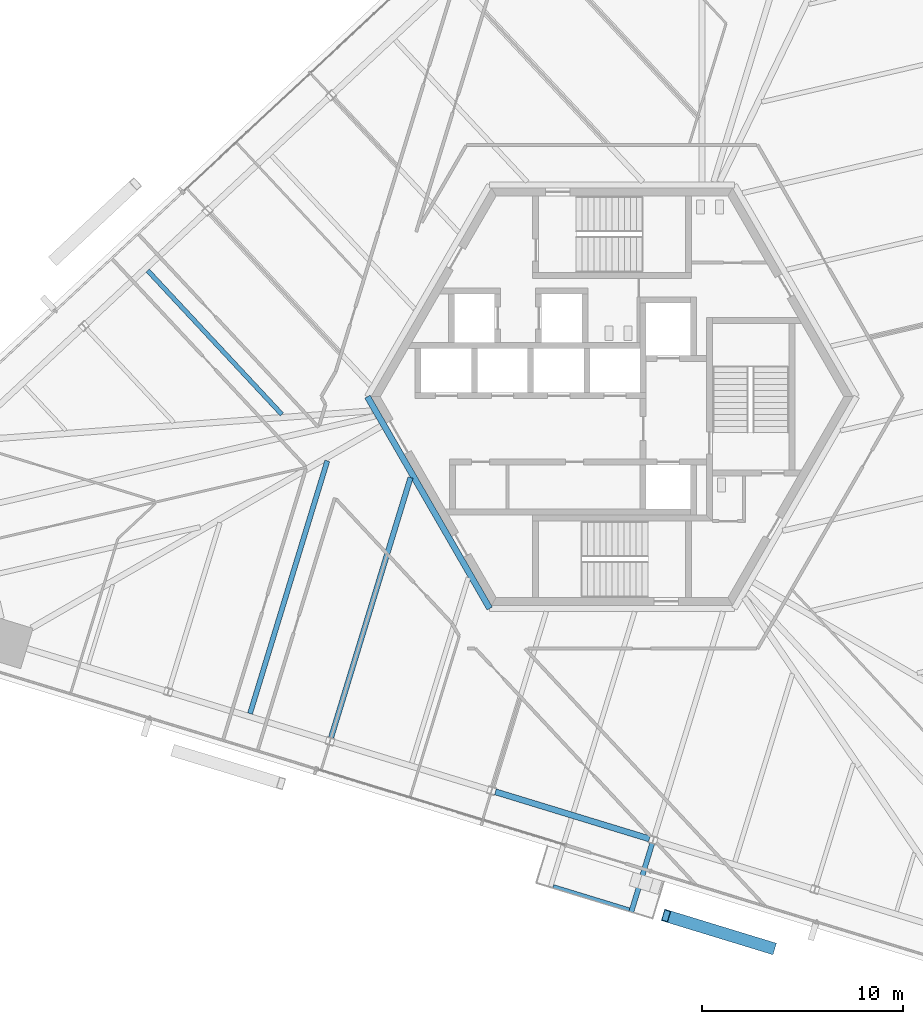
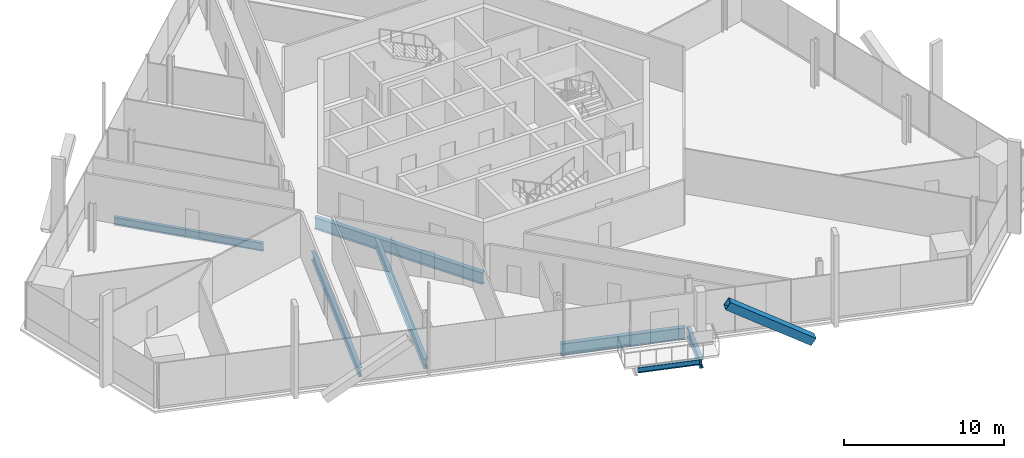
# One storey, part 5 of 23: 7 beams, 1 member.
"""IFC4 building model written with IfcOpenShell, lengths in metres."""

from ifc_helpers import new_model, si_unit, direction, frame, origin, origin_2d, place, context, subcontext, project, spatial, hollow_rectangle, i_section, extrude, source, transform, mapped, material, material_profile, profile_set, type_object, element, save


model = new_model("IFC4")

# Units and contexts
model_context = context("Model", 3, precision=1e-05, world=origin(), true_north=direction((0.0, 1.0)))
body_context = subcontext(model_context, "Body", "Model", "MODEL_VIEW")
ifc_project = project(units=[si_unit("LENGTHUNIT", "METRE"), si_unit("AREAUNIT", "SQUARE_METRE"), si_unit("VOLUMEUNIT", "CUBIC_METRE"), si_unit("PLANEANGLEUNIT", "RADIAN"), si_unit("MASSUNIT", "GRAM", prefix="KILO")], contexts=[model_context])

# Site, building, storey
site_placement = place(None, origin())
site = spatial("IfcSite", under=ifc_project, at=site_placement, CompositionType="ELEMENT")
building_placement = place(site_placement, origin())
building = spatial("IfcBuilding", under=site, at=building_placement, Name="Triune Harvest Tower", CompositionType="ELEMENT")
storey_placement = place(building_placement, frame((0.0, 0.0, 105.5)))
storey = spatial("IfcBuildingStorey", under=building, at=storey_placement, Name="L26", CompositionType="ELEMENT", Elevation=105.5)

# Beams
ifc_material_1 = material(Name="Steel ASTM A992 Gr 50", Category="steel")
ifc_material_profile_1 = material_profile(ifc_material_1, i_section(OverallWidth=0.3046875, OverallDepth=0.914306640625, WebThickness=0.0166015625, FlangeThickness=0.02587890625, at=origin_2d()), Name="W36x160")
ifc_profile_set_1 = profile_set([ifc_material_profile_1], Name="Steel ASTM A992 Gr 50")
beam_type_1 = type_object("IfcBeamType", Name="CG-1 Core ring girder W36x160", PredefinedType="BEAM", material=ifc_profile_set_1)
shared_shape_1 = source(origin(), body_context, "Body", "SweptSolid", [
    extrude(i_section(OverallWidth=0.3046875, OverallDepth=0.914306640625, WebThickness=0.0166015625, FlangeThickness=0.02587890625, at=origin_2d()), origin(), (0.0, 0.0, 1.0), 12.176025390625),
])
beam_1_placement = place(storey_placement, frame((-12.176025390625, 0.0, -0.6171875), z_axis=(0.5000099932, -0.866019634131, 0.0), x_axis=(0.866019634131, 0.5000099932, 0.0)))
element("IfcBeam", 1, at=beam_1_placement, inside=storey, type_object=beam_type_1, Name="beam/L26/CG4", PredefinedType="BEAM", context=body_context, shape_type="MappedRepresentation", body=[
    mapped(shared_shape_1, transform((0.0, 0.0, 0.0), scale=1.0)),
])
ifc_material_2 = material(Name="Steel ASTM A992 Gr 50", Category="steel")
ifc_material_profile_2 = material_profile(ifc_material_2, i_section(OverallWidth=0.3046875, OverallDepth=0.914306640625, WebThickness=0.0166015625, FlangeThickness=0.02587890625, at=origin_2d()), Name="W36x160")
ifc_profile_set_2 = profile_set([ifc_material_profile_2], Name="Steel ASTM A992 Gr 50")
beam_type_2 = type_object("IfcBeamType", Name="SB-1 Spandrel beam W36x160", PredefinedType="SPANDREL", material=ifc_profile_set_2)
shared_shape_2 = source(origin(), body_context, "Body", "SweptSolid", [
    extrude(i_section(OverallWidth=0.3046875, OverallDepth=0.914306640625, WebThickness=0.0166015625, FlangeThickness=0.02587890625, at=origin_2d()), origin(), (0.0, 0.0, 1.0), 8.018310546875),
])
beam_2_placement = place(storey_placement, frame((-5.805908203125, -19.66748046875, -0.6171875), z_axis=(0.956308069579, -0.292360866152, 0.0), x_axis=(0.292360866152, 0.956308069579, 0.0)))
element("IfcBeam", 2, at=beam_2_placement, inside=storey, type_object=beam_type_2, Name="beam/L26/SB20", PredefinedType="SPANDREL", context=body_context, shape_type="MappedRepresentation", body=[
    mapped(shared_shape_2, transform((0.0, 0.0, 0.0), scale=1.0)),
])
ifc_material_3 = material(Name="Steel ASTM A992 Gr 50", Category="steel")
ifc_material_profile_3 = material_profile(ifc_material_3, i_section(OverallWidth=0.22900390625, OverallDepth=0.612060546875, WebThickness=0.011962890625, FlangeThickness=0.01953125, at=origin_2d()), Name="W24x84")
ifc_profile_set_3 = profile_set([ifc_material_profile_3], Name="Steel ASTM A992 Gr 50")
beam_type_3 = type_object("IfcBeamType", Name="JT-3 Floor joist W24x84", PredefinedType="JOIST", material=ifc_profile_set_3)
shared_shape_3 = source(origin(), body_context, "Body", "SweptSolid", [
    extrude(i_section(OverallWidth=0.22900390625, OverallDepth=0.612060546875, WebThickness=0.011962890625, FlangeThickness=0.01953125, at=origin_2d()), origin(), (0.0, 0.0, 1.0), 9.790283203125),
])
beam_3_placement = place(storey_placement, frame((-23.11181640625, 6.27734375, -0.466064453125), z_axis=(0.682000995077, -0.731351244419, 0.0), x_axis=(0.731351244419, 0.682000995077, 0.0)))
element("IfcBeam", 3, at=beam_3_placement, inside=storey, type_object=beam_type_3, Name="beam/L26/JT22", PredefinedType="JOIST", context=body_context, shape_type="MappedRepresentation", body=[
    mapped(shared_shape_3, transform((0.0, 0.0, 0.0), scale=1.0)),
])
ifc_material_4 = material(Name="Steel ASTM A992 Gr 50", Category="steel")
ifc_material_profile_4 = material_profile(ifc_material_4, i_section(OverallWidth=0.253662109375, OverallDepth=0.683349609375, WebThickness=0.012451171875, FlangeThickness=0.01904296875, at=origin_2d()), Name="W27x94")
ifc_profile_set_4 = profile_set([ifc_material_profile_4], Name="Steel ASTM A992 Gr 50")
beam_type_4 = type_object("IfcBeamType", Name="JT-4 Floor joist W27x94", PredefinedType="JOIST", material=ifc_profile_set_4)
shared_shape_4 = source(origin(), body_context, "Body", "SweptSolid", [
    extrude(i_section(OverallWidth=0.253662109375, OverallDepth=0.683349609375, WebThickness=0.012451171875, FlangeThickness=0.01904296875, at=origin_2d()), origin(), (0.0, 0.0, 1.0), 13.157470703125),
])
beam_4_placement = place(storey_placement, frame((-18.02099609375, -15.773681640625, -0.501708984375), z_axis=(0.292375983311, 0.956303447857, 0.0), x_axis=(-0.956303447857, 0.292375983311, 0.0)))
element("IfcBeam", 4, at=beam_4_placement, inside=storey, type_object=beam_type_4, Name="beam/L26/JT29", PredefinedType="JOIST", context=body_context, shape_type="MappedRepresentation", body=[
    mapped(shared_shape_4, transform((0.0, 0.0, 0.0), scale=1.0)),
])
ifc_material_5 = material(Name="Steel ASTM A992 Gr 50", Category="steel")
ifc_material_profile_5 = material_profile(ifc_material_5, i_section(OverallWidth=0.2666015625, OverallDepth=0.7568359375, WebThickness=0.013916015625, FlangeThickness=0.019287109375, at=origin_2d()), Name="W30x108")
ifc_profile_set_5 = profile_set([ifc_material_profile_5], Name="Steel ASTM A992 Gr 50")
beam_type_5 = type_object("IfcBeamType", Name="JT-5 Floor joist W30x108", PredefinedType="JOIST", material=ifc_profile_set_5)
shared_shape_5 = source(origin(), body_context, "Body", "SweptSolid", [
    extrude(i_section(OverallWidth=0.2666015625, OverallDepth=0.7568359375, WebThickness=0.013916015625, FlangeThickness=0.019287109375, at=origin_2d()), origin(), (0.0, 0.0, 1.0), 13.53515625),
])
beam_5_placement = place(storey_placement, frame((-13.986328125, -16.96728515625, -0.53857421875), z_axis=(0.292367922799, 0.956305912205, 0.0), x_axis=(-0.956305912205, 0.292367922799, 0.0)))
element("IfcBeam", 5, at=beam_5_placement, inside=storey, type_object=beam_type_5, Name="beam/L26/JT30", PredefinedType="JOIST", context=body_context, shape_type="MappedRepresentation", body=[
    mapped(shared_shape_5, transform((0.0, 0.0, 0.0), scale=1.0)),
])

# Member
ifc_material_6 = material(Name="Steel ASTM A572 Gr 50", Category="steel")
ifc_material_profile_6 = material_profile(ifc_material_6, hollow_rectangle(XDim=0.60009765625, YDim=0.60009765625, WallThickness=0.0400390625, at=origin_2d()), Name="Box 600x600x40")
ifc_profile_set_6 = profile_set([ifc_material_profile_6], Name="Steel ASTM A572 Gr 50")
member_type = type_object("IfcMemberType", Name="BR-2 Brace Box 600x600x40", PredefinedType="BRACE", material=ifc_profile_set_6)
shared_shape_6 = source(origin(), body_context, "Body", "SweptSolid", [
    extrude(hollow_rectangle(XDim=0.60009765625, YDim=0.60009765625, WallThickness=0.0400390625, at=origin_2d()), origin(), (0.0, 0.0, 1.0), 6.56640625),
])
member_placement = place(storey_placement, frame((7.940673828125, -27.445068359375, 0.0), z_axis=(-0.799775179898, 0.244494518293, 0.548253674993), x_axis=(-0.292348421026, -0.956311874193, 0.0)))
element("IfcMember", 6, at=member_placement, inside=storey, type_object=member_type, Name="brace/B3-F5/d2/3", PredefinedType="BRACE", context=body_context, shape_type="MappedRepresentation", body=[
    mapped(shared_shape_6, transform((0.0, 0.0, 0.0), scale=1.0)),
])

# Beams
ifc_material_7 = material(Name="Steel ASTM A992 Gr 50", Category="steel")
ifc_material_profile_7 = material_profile(ifc_material_7, i_section(OverallWidth=0.253662109375, OverallDepth=0.683349609375, WebThickness=0.012451171875, FlangeThickness=0.01904296875, at=origin_2d()), Name="W27x94")
ifc_profile_set_7 = profile_set([ifc_material_profile_7], Name="Steel ASTM A992 Gr 50")
beam_type_6 = type_object("IfcBeamType", Name="BJ-4 Balcony cantilever joist W27x94", PredefinedType="JOIST", material=ifc_profile_set_7)
shared_shape_7 = source(origin(), body_context, "Body", "SweptSolid", [
    extrude(i_section(OverallWidth=0.253662109375, OverallDepth=0.683349609375, WebThickness=0.012451171875, FlangeThickness=0.01904296875, at=origin_2d()), origin(), (0.0, 0.0, 1.0), 3.59765625),
])
beam_6_placement = place(storey_placement, frame((2.0068359375, -22.21533203125, -0.501708984375), z_axis=(-0.292349563537, -0.956311524923, 0.0), x_axis=(0.956311524923, -0.292349563537, 0.0)))
element("IfcBeam", 7, at=beam_6_placement, inside=storey, type_object=beam_type_6, Name="Balcony cantilever joist B3-F5 L26.8a", PredefinedType="JOIST", context=body_context, shape_type="MappedRepresentation", body=[
    mapped(shared_shape_7, transform((0.0, 0.0, 0.0), scale=1.0)),
])
ifc_material_8 = material(Name="Steel ASTM A992 Gr 50", Category="steel")
ifc_material_profile_8 = material_profile(ifc_material_8, i_section(OverallWidth=0.180908203125, OverallDepth=0.41650390625, WebThickness=0.010986328125, FlangeThickness=0.01806640625, at=origin_2d()), Name="W16x57")
ifc_profile_set_8 = profile_set([ifc_material_profile_8], Name="Steel ASTM A992 Gr 50")
beam_type_7 = type_object("IfcBeamType", Name="BE-1 balcony edge beam W16x57", PredefinedType="BEAM", material=ifc_profile_set_8)
shared_shape_8 = source(origin(), body_context, "Body", "SweptSolid", [
    extrude(i_section(OverallWidth=0.180908203125, OverallDepth=0.41650390625, WebThickness=0.010986328125, FlangeThickness=0.01806640625, at=origin_2d()), origin(), (0.0, 0.0, 1.0), 3.965576171875),
])
beam_7_placement = place(storey_placement, frame((-2.93212890625, -24.372802734375, -0.368408203125), z_axis=(0.956303287201, -0.292376508783, 0.0), x_axis=(0.292376508783, 0.956303287201, 0.0)))
element("IfcBeam", 8, at=beam_7_placement, inside=storey, type_object=beam_type_7, Name="Balcony edge beam B3-F5 L26.8", PredefinedType="BEAM", context=body_context, shape_type="MappedRepresentation", body=[
    mapped(shared_shape_8, transform((0.0, 0.0, 0.0), scale=1.0)),
])

save(model, "model.ifc")
